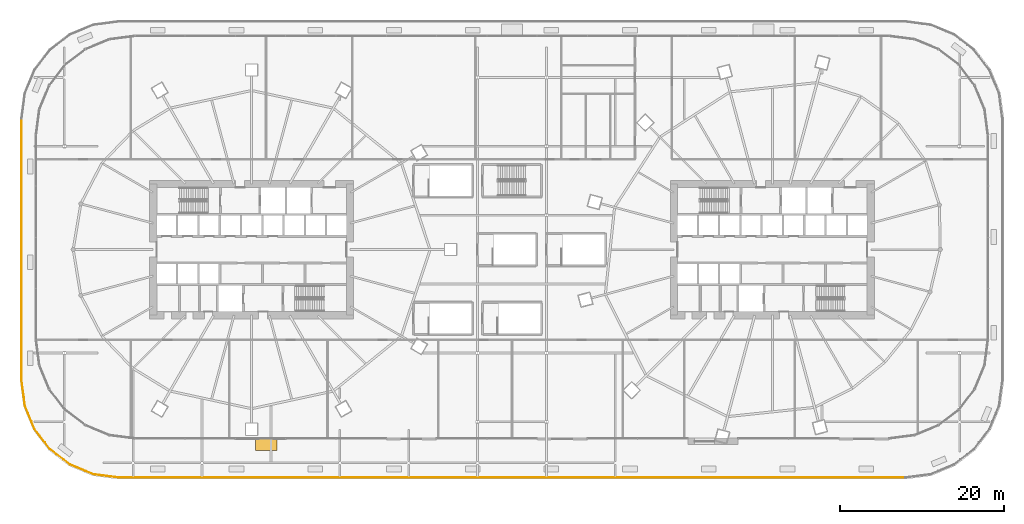
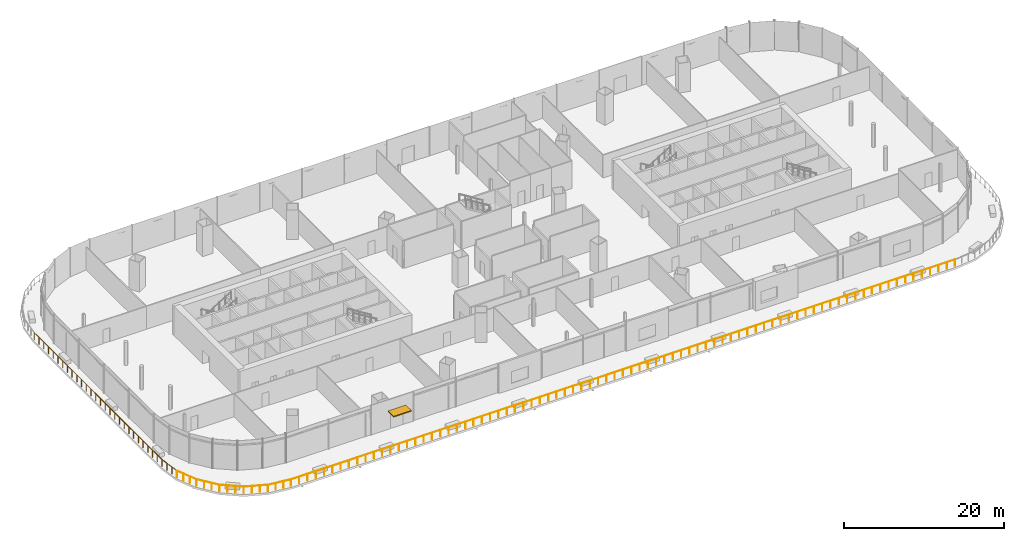
# One storey, part 40 of 49: 3 railings, 1 shading device.
"""IFC4 building model written with IfcOpenShell, lengths in metres."""

import ifcopenshell
import ifcopenshell.guid

model = None  # the IFC model being written
_history = None  # IfcOwnerHistory: only IFC2X3 demands one
_inside = {}  # id of a spatial element -> (the spatial element, [elements in it])
_under = {}  # id of a project, library or spatial element -> (it, [spatial elements below it])
_declared = {}  # id of a project -> (the project, [libraries it declares])
_typed = {}  # id of a type object -> (the type object, [elements of that type])
_made_of = {}  # id of a material, layer set ... -> (it, [elements and type objects made of it])


def new_model(schema):
    """Start an empty IFC model of exactly this schema.

    Asked for "IFC4X3", IfcOpenShell would pick the latest addendum, in which some entities
    have other attributes; the version numbers below select the first issue.
    IFC2X3 requires an IfcOwnerHistory on every rooted entity: one is made here for all.
    """
    global model, _history
    if schema == "IFC4X3":
        model = ifcopenshell.file(schema_version=(4, 3, 0, 0))
    else:
        model = ifcopenshell.file(schema=schema)
    _inside.clear()
    _under.clear()
    _declared.clear()
    _typed.clear()
    _made_of.clear()
    _history = None
    if model.schema == "IFC2X3":
        org = make("IfcOrganization", Name="unknown")
        user = make(
            "IfcPersonAndOrganization",
            ThePerson=make("IfcPerson", FamilyName="unknown"),
            TheOrganization=org,
        )
        app = make(
            "IfcApplication",
            ApplicationDeveloper=org,
            Version="unknown",
            ApplicationFullName="unknown",
            ApplicationIdentifier="unknown",
        )
        _history = make(
            "IfcOwnerHistory",
            OwningUser=user,
            OwningApplication=app,
            ChangeAction="ADDED",
            CreationDate=0,
        )
    return model


def make(cls, **values):
    """One entity of the class cls with the attributes given. An attribute that is None is left unset."""
    return model.create_entity(
        cls, **{name: value for name, value in values.items() if value is not None}
    )


def rooted(cls, **values):
    """An entity with a GlobalId (a new one), such as an element, a storey or a relation."""
    return make(cls, GlobalId=ifcopenshell.guid.new(), OwnerHistory=_history, **values)


def si_unit(unit_type, name, prefix=None):
    """IfcSIUnit, for example si_unit("LENGTHUNIT", "METRE", prefix="MILLI")."""
    return make("IfcSIUnit", UnitType=unit_type, Prefix=prefix, Name=name)


def assignment(units):
    """IfcUnitAssignment: the units of a project."""
    return None if units is None else make("IfcUnitAssignment", Units=units)


def point(xyz):
    """IfcCartesianPoint."""
    return None if xyz is None else make("IfcCartesianPoint", Coordinates=xyz)


def direction(xyz):
    """IfcDirection."""
    return None if xyz is None else make("IfcDirection", DirectionRatios=xyz)


def frame(location, z_axis=None, x_axis=None):
    """IfcAxis2Placement3D, a coordinate frame: its origin and axes. An axis left out is left unset."""
    return make(
        "IfcAxis2Placement3D",
        Location=point(location),
        Axis=direction(z_axis),
        RefDirection=direction(x_axis),
    )


def frame_2d(location, x_axis=None):
    """IfcAxis2Placement2D, a coordinate frame in the plane: its origin and x axis."""
    return make(
        "IfcAxis2Placement2D", Location=point(location), RefDirection=direction(x_axis)
    )


def origin():
    """The frame at (0, 0, 0) with its axes left unset."""
    return frame((0.0, 0.0, 0.0))


def origin_2d():
    """The frame at (0, 0) in the plane with its x axis left unset."""
    return frame_2d((0.0, 0.0))


def place(relative_to, where):
    """IfcLocalPlacement: puts the frame where relative to a parent placement (None: the world)."""
    return make(
        "IfcLocalPlacement", PlacementRelTo=relative_to, RelativePlacement=where
    )


def context(
    kind, dimensions, precision=None, world=None, true_north=None, identifier=None
):
    """IfcGeometricRepresentationContext, for example the 3D "Model" context."""
    return make(
        "IfcGeometricRepresentationContext",
        ContextIdentifier=identifier,
        ContextType=kind,
        CoordinateSpaceDimension=dimensions,
        Precision=precision,
        WorldCoordinateSystem=world,
        TrueNorth=true_north,
    )


def subcontext(parent, identifier, kind, view, scale=None):
    """IfcGeometricRepresentationSubContext, for example "Body" below "Model"."""
    return make(
        "IfcGeometricRepresentationSubContext",
        ContextIdentifier=identifier,
        ContextType=kind,
        ParentContext=parent,
        TargetScale=scale,
        TargetView=view,
    )


def project(units=None, contexts=None):
    """IfcProject with its units and contexts."""
    return rooted(
        "IfcProject",
        Name="project",
        RepresentationContexts=contexts,
        UnitsInContext=assignment(units),
    )


def spatial(cls, under=None, at=None, **own):
    """A site, building, storey or space (cls), placed at a placement, below another one or the project."""
    s = rooted(cls, ObjectPlacement=at, **own)
    if under is not None:
        _under.setdefault(under.id(), (under, []))[1].append(s)
    return s


def profile(cls, at=None, kind="AREA", **sizes):
    """A parametric profile (cls). Its sizes go by their IFC names, for example OverallWidth=200.0."""
    return make(cls, ProfileType=kind, Position=at, **sizes)


def rectangle(**sizes):
    """IfcRectangleProfileDef."""
    return profile("IfcRectangleProfileDef", **sizes)


def circle(**sizes):
    """IfcCircleProfileDef."""
    return profile("IfcCircleProfileDef", **sizes)


def extrude(swept, where, along, depth):
    """IfcExtrudedAreaSolid: the profile swept, set in the frame where, extruded along a direction by depth."""
    return make(
        "IfcExtrudedAreaSolid",
        SweptArea=swept,
        Position=where,
        ExtrudedDirection=direction(along),
        Depth=depth,
    )


def shape(context_of_items, identifier, shape_type, items):
    """IfcShapeRepresentation: the items that make up one representation, for example the "Body"."""
    return make(
        "IfcShapeRepresentation",
        ContextOfItems=context_of_items,
        RepresentationIdentifier=identifier,
        RepresentationType=shape_type,
        Items=items,
    )


def material(Name=None, Category=None):
    """IfcMaterial."""
    return make("IfcMaterial", Name=Name, Category=Category)


def layer(
    of_material, thickness, ventilated=None, Name=None, Category=None, Priority=None
):
    """IfcMaterialLayer: one layer of a wall or slab, of a material (None: an air gap)."""
    return make(
        "IfcMaterialLayer",
        Material=of_material,
        LayerThickness=thickness,
        IsVentilated=ventilated,
        Name=Name,
        Category=Category,
        Priority=Priority,
    )


def layer_set(layers, Name=None):
    """IfcMaterialLayerSet."""
    return make("IfcMaterialLayerSet", MaterialLayers=layers, LayerSetName=Name)


def made_of(thing, what):
    """Note that an element or type object is made of a material, layer set ...; save() writes the relation."""
    if what is not None:
        _made_of.setdefault(what.id(), (what, []))[1].append(thing)
    return thing


def type_object(cls, material=None, **own):
    """A type object (cls), such as IfcWallType, which elements share."""
    return made_of(rooted(cls, **own), material)


def element(
    cls,
    number,
    at=None,
    inside=None,
    cuts=None,
    type_object=None,
    material=None,
    context=None,
    identifier="Body",
    shape_type=None,
    held_by="IfcProductDefinitionShape",
    body=None,
    shapes=None,
    **own,
):
    """One element of the class cls, such as IfcWall. Its Tag is "e" and its number.

    at: its placement. inside: the storey or other place that contains it. cuts: it is an
    opening in that element (IfcRelVoidsElement). A single representation is given by context,
    identifier, shape_type and body (its items); several are given by shapes. held_by: the class
    of the entity that holds the representations. save() writes the other relations.
    """
    e = rooted(cls, Tag="e%d" % number, ObjectPlacement=at, **own)
    if body is not None:
        shapes = [shape(context, identifier, shape_type, body)]
    if shapes is not None:
        e.Representation = make(held_by, Representations=shapes)
    if inside is not None:
        _inside.setdefault(inside.id(), (inside, []))[1].append(e)
    if cuts is not None:
        rooted(
            "IfcRelVoidsElement", RelatingBuildingElement=cuts, RelatedOpeningElement=e
        )
    if type_object is not None:
        _typed.setdefault(type_object.id(), (type_object, []))[1].append(e)
    return made_of(e, material)


def aggregate(whole, parts):
    """IfcRelAggregates: a whole, such as a stair, and the parts it consists of."""
    return rooted("IfcRelAggregates", RelatingObject=whole, RelatedObjects=parts)


def save(model, path):
    """Write the relations noted so far, then the file.

    IfcRelAggregates (storeys below a building ...), IfcRelContainedInSpatialStructure (elements
    in a storey), IfcRelDefinesByType, IfcRelAssociatesMaterial and IfcRelDeclares: one each for
    every whole, place, type object, material and project.
    """
    for whole, parts in _under.values():
        aggregate(whole, parts)
    for where, things in _inside.values():
        rooted(
            "IfcRelContainedInSpatialStructure",
            RelatedElements=things,
            RelatingStructure=where,
        )
    for kind, things in _typed.values():
        rooted("IfcRelDefinesByType", RelatedObjects=things, RelatingType=kind)
    for what, things in _made_of.values():
        rooted("IfcRelAssociatesMaterial", RelatedObjects=things, RelatingMaterial=what)
    for by, libraries in _declared.values():
        rooted("IfcRelDeclares", RelatingContext=by, RelatedDefinitions=libraries)
    model.write(path)


model = new_model("IFC4")

# Units and contexts
model_context = context("Model", 3, precision=1e-05, world=origin(), true_north=direction((0.0, 1.0)))
body_context = subcontext(model_context, "Body", "Model", "MODEL_VIEW")
ifc_project = project(units=[si_unit("LENGTHUNIT", "METRE"), si_unit("AREAUNIT", "SQUARE_METRE"), si_unit("VOLUMEUNIT", "CUBIC_METRE"), si_unit("PLANEANGLEUNIT", "RADIAN"), si_unit("MASSUNIT", "GRAM", prefix="KILO")], contexts=[model_context])

# Site, building, storey
site_placement = place(None, origin())
site = spatial("IfcSite", under=ifc_project, at=site_placement, CompositionType="ELEMENT")
building_placement = place(site_placement, origin())
building = spatial("IfcBuilding", under=site, at=building_placement, Name="Rimbun Link Towers", CompositionType="ELEMENT")
storey_placement = place(building_placement, frame((0.0, 0.0, 25.5)))
storey = spatial("IfcBuildingStorey", under=building, at=storey_placement, Name="L05", CompositionType="ELEMENT", Elevation=25.5)

# Railings
ifc_material_1 = material(Name="Toughened laminated glass, stainless steel grade 316 posts and cap rail", Category="steel")
railing_type = type_object("IfcRailingType", Name="GUARD glass balustrade with stainless cap rail", PredefinedType="BALUSTRADE", material=ifc_material_1)
railing_1_placement = place(storey_placement, frame((-59.800048828125, 15.98681640625, 0.0)))
element("IfcRailing", 1, at=railing_1_placement, inside=storey, type_object=railing_type, Name="GUARD glass balustrade", PredefinedType="BALUSTRADE", context=body_context, shape_type="SweptSolid", body=[
    extrude(circle(Radius=0.02392578125, at=origin_2d()), frame((0.0, 0.0, 1.076171875), z_axis=(0.0, -1.0, 0.0), x_axis=(1.0, 0.0, 0.0)), (0.0, 0.0, 1.0), 31.9736328125),
    extrude(circle(Radius=0.02392578125, at=origin_2d()), frame((0.0, -31.9736328125, 1.076171875), z_axis=(0.130540259305, -0.991443009305, 0.0), x_axis=(0.991443009305, 0.130540259305, 0.0)), (0.0, 0.0, 1.0), 3.09326171875),
    extrude(circle(Radius=0.02099609375, at=origin_2d()), origin(), (0.0, 0.0, 1.0), 1.052001953125),
    extrude(circle(Radius=0.02099609375, at=origin_2d()), frame((0.0, -1.184326171875, 0.0)), (0.0, 0.0, 1.0), 1.052001953125),
    extrude(circle(Radius=0.02099609375, at=origin_2d()), frame((0.0, -2.368408203125, 0.0)), (0.0, 0.0, 1.0), 1.052001953125),
    extrude(circle(Radius=0.02099609375, at=origin_2d()), frame((0.0, -3.552734375, 0.0)), (0.0, 0.0, 1.0), 1.052001953125),
    extrude(circle(Radius=0.02099609375, at=origin_2d()), frame((0.0, -4.73681640625, 0.0)), (0.0, 0.0, 1.0), 1.052001953125),
    extrude(circle(Radius=0.02099609375, at=origin_2d()), frame((0.0, -5.921142578125, 0.0)), (0.0, 0.0, 1.0), 1.052001953125),
    extrude(circle(Radius=0.02099609375, at=origin_2d()), frame((0.0, -7.105224609375, 0.0)), (0.0, 0.0, 1.0), 1.052001953125),
    extrude(circle(Radius=0.02099609375, at=origin_2d()), frame((0.0, -8.28955078125, 0.0)), (0.0, 0.0, 1.0), 1.052001953125),
    extrude(circle(Radius=0.02099609375, at=origin_2d()), frame((0.0, -9.4736328125, 0.0)), (0.0, 0.0, 1.0), 1.052001953125),
    extrude(circle(Radius=0.02099609375, at=origin_2d()), frame((0.0, -10.657958984375, 0.0)), (0.0, 0.0, 1.0), 1.052001953125),
    extrude(circle(Radius=0.02099609375, at=origin_2d()), frame((0.0, -11.842041015625, 0.0)), (0.0, 0.0, 1.0), 1.052001953125),
    extrude(circle(Radius=0.02099609375, at=origin_2d()), frame((0.0, -13.0263671875, 0.0)), (0.0, 0.0, 1.0), 1.052001953125),
    extrude(circle(Radius=0.02099609375, at=origin_2d()), frame((0.0, -14.21044921875, 0.0)), (0.0, 0.0, 1.0), 1.052001953125),
    extrude(circle(Radius=0.02099609375, at=origin_2d()), frame((0.0, -15.394775390625, 0.0)), (0.0, 0.0, 1.0), 1.052001953125),
    extrude(circle(Radius=0.02099609375, at=origin_2d()), frame((0.0, -16.578857421875, 0.0)), (0.0, 0.0, 1.0), 1.052001953125),
    extrude(circle(Radius=0.02099609375, at=origin_2d()), frame((0.0, -17.76318359375, 0.0)), (0.0, 0.0, 1.0), 1.052001953125),
    extrude(circle(Radius=0.02099609375, at=origin_2d()), frame((0.0, -18.947265625, 0.0)), (0.0, 0.0, 1.0), 1.052001953125),
    extrude(circle(Radius=0.02099609375, at=origin_2d()), frame((0.0, -20.131591796875, 0.0)), (0.0, 0.0, 1.0), 1.052001953125),
    extrude(circle(Radius=0.02099609375, at=origin_2d()), frame((0.0, -21.315673828125, 0.0)), (0.0, 0.0, 1.0), 1.052001953125),
    extrude(circle(Radius=0.02099609375, at=origin_2d()), frame((0.0, -22.5, 0.0)), (0.0, 0.0, 1.0), 1.052001953125),
    extrude(circle(Radius=0.02099609375, at=origin_2d()), frame((0.0, -23.68408203125, 0.0)), (0.0, 0.0, 1.0), 1.052001953125),
    extrude(circle(Radius=0.02099609375, at=origin_2d()), frame((0.0, -24.868408203125, 0.0)), (0.0, 0.0, 1.0), 1.052001953125),
    extrude(circle(Radius=0.02099609375, at=origin_2d()), frame((0.0, -26.052490234375, 0.0)), (0.0, 0.0, 1.0), 1.052001953125),
    extrude(circle(Radius=0.02099609375, at=origin_2d()), frame((0.0, -27.23681640625, 0.0)), (0.0, 0.0, 1.0), 1.052001953125),
    extrude(circle(Radius=0.02099609375, at=origin_2d()), frame((0.0, -28.4208984375, 0.0)), (0.0, 0.0, 1.0), 1.052001953125),
    extrude(circle(Radius=0.02099609375, at=origin_2d()), frame((0.0, -29.605224609375, 0.0)), (0.0, 0.0, 1.0), 1.052001953125),
    extrude(circle(Radius=0.02099609375, at=origin_2d()), frame((0.0, -30.789306640625, 0.0)), (0.0, 0.0, 1.0), 1.052001953125),
    extrude(circle(Radius=0.02099609375, at=origin_2d()), frame((0.0, -31.9736328125, 0.0)), (0.0, 0.0, 1.0), 1.052001953125),
    extrude(circle(Radius=0.02099609375, at=origin_2d()), frame((0.134521484375, -32.995849609375, 0.0)), (0.0, 0.0, 1.0), 1.052001953125),
    extrude(circle(Radius=0.02099609375, at=origin_2d()), frame((0.269287109375, -34.018310546875, 0.0)), (0.0, 0.0, 1.0), 1.052001953125),
    extrude(circle(Radius=0.02099609375, at=origin_2d()), frame((0.40380859375, -35.04052734375, 0.0)), (0.0, 0.0, 1.0), 1.052001953125),
])
railing_2_placement = place(storey_placement, frame((-59.396240234375, -19.0537109375, 0.0)))
element("IfcRailing", 2, at=railing_2_placement, inside=storey, type_object=railing_type, Name="GUARD glass balustrade", PredefinedType="BALUSTRADE", context=body_context, shape_type="SweptSolid", body=[
    extrude(circle(Radius=0.02392578125, at=origin_2d()), frame((0.0, 0.0, 1.076171875), z_axis=(0.382706499462, -0.92386997747, 0.0), x_axis=(0.92386997747, 0.382706499462, 0.0)), (0.0, 0.0, 1.0), 3.079833984375),
    extrude(circle(Radius=0.02392578125, at=origin_2d()), frame((1.1787109375, -2.845458984375, 1.076171875), z_axis=(0.608702762794, -0.793398353015, 0.0), x_axis=(0.793398353015, 0.608702762794, 0.0)), (0.0, 0.0, 1.0), 3.079833984375),
    extrude(circle(Radius=0.02392578125, at=origin_2d()), frame((3.053466796875, -5.2890625, 1.076171875), z_axis=(0.793398353015, -0.608702762794, 0.0), x_axis=(0.608702762794, 0.793398353015, 0.0)), (0.0, 0.0, 1.0), 3.079833984375),
    extrude(circle(Radius=0.02392578125, at=origin_2d()), frame((5.4970703125, -7.163818359375, 1.076171875), z_axis=(0.92386997747, -0.382706499462, 0.0), x_axis=(0.382706499462, 0.92386997747, 0.0)), (0.0, 0.0, 1.0), 3.079833984375),
    extrude(circle(Radius=0.02392578125, at=origin_2d()), frame((8.342529296875, -8.342529296875, 1.076171875), z_axis=(0.991443009305, -0.130540259305, 0.0), x_axis=(0.130540259305, 0.991443009305, 0.0)), (0.0, 0.0, 1.0), 3.09326171875),
    extrude(circle(Radius=0.02099609375, at=origin_2d()), origin(), (0.0, 0.0, 1.0), 1.052001953125),
    extrude(circle(Radius=0.02099609375, at=origin_2d()), frame((0.392822265625, -0.948486328125, 0.0)), (0.0, 0.0, 1.0), 1.052001953125),
    extrude(circle(Radius=0.02099609375, at=origin_2d()), frame((0.785888671875, -1.89697265625, 0.0)), (0.0, 0.0, 1.0), 1.052001953125),
    extrude(circle(Radius=0.02099609375, at=origin_2d()), frame((1.1787109375, -2.845458984375, 0.0)), (0.0, 0.0, 1.0), 1.052001953125),
    extrude(circle(Radius=0.02099609375, at=origin_2d()), frame((1.8037109375, -3.659912109375, 0.0)), (0.0, 0.0, 1.0), 1.052001953125),
    extrude(circle(Radius=0.02099609375, at=origin_2d()), frame((2.428466796875, -4.474609375, 0.0)), (0.0, 0.0, 1.0), 1.052001953125),
    extrude(circle(Radius=0.02099609375, at=origin_2d()), frame((3.053466796875, -5.2890625, 0.0)), (0.0, 0.0, 1.0), 1.052001953125),
    extrude(circle(Radius=0.02099609375, at=origin_2d()), frame((3.867919921875, -5.9140625, 0.0)), (0.0, 0.0, 1.0), 1.052001953125),
    extrude(circle(Radius=0.02099609375, at=origin_2d()), frame((4.6826171875, -6.538818359375, 0.0)), (0.0, 0.0, 1.0), 1.052001953125),
    extrude(circle(Radius=0.02099609375, at=origin_2d()), frame((5.4970703125, -7.163818359375, 0.0)), (0.0, 0.0, 1.0), 1.052001953125),
    extrude(circle(Radius=0.02099609375, at=origin_2d()), frame((6.445556640625, -7.556640625, 0.0)), (0.0, 0.0, 1.0), 1.052001953125),
    extrude(circle(Radius=0.02099609375, at=origin_2d()), frame((7.39404296875, -7.94970703125, 0.0)), (0.0, 0.0, 1.0), 1.052001953125),
    extrude(circle(Radius=0.02099609375, at=origin_2d()), frame((8.342529296875, -8.342529296875, 0.0)), (0.0, 0.0, 1.0), 1.052001953125),
    extrude(circle(Radius=0.02099609375, at=origin_2d()), frame((9.36474609375, -8.47705078125, 0.0)), (0.0, 0.0, 1.0), 1.052001953125),
    extrude(circle(Radius=0.02099609375, at=origin_2d()), frame((10.38720703125, -8.61181640625, 0.0)), (0.0, 0.0, 1.0), 1.052001953125),
    extrude(circle(Radius=0.02099609375, at=origin_2d()), frame((11.409423828125, -8.746337890625, 0.0)), (0.0, 0.0, 1.0), 1.052001953125),
])
railing_3_placement = place(storey_placement, frame((-47.98681640625, -27.800048828125, 0.0)))
element("IfcRailing", 3, at=railing_3_placement, inside=storey, type_object=railing_type, Name="GUARD glass balustrade", PredefinedType="BALUSTRADE", context=body_context, shape_type="SweptSolid", body=[
    extrude(circle(Radius=0.02392578125, at=origin_2d()), frame((0.0, 0.0, 1.076171875), z_axis=(1.0, 0.0, 0.0), x_axis=(0.0, 1.0, 0.0)), (0.0, 0.0, 1.0), 95.9736328125),
    extrude(circle(Radius=0.02099609375, at=origin_2d()), origin(), (0.0, 0.0, 1.0), 1.052001953125),
    extrude(circle(Radius=0.02099609375, at=origin_2d()), frame((1.19970703125, 0.0, 0.0)), (0.0, 0.0, 1.0), 1.052001953125),
    extrude(circle(Radius=0.02099609375, at=origin_2d()), frame((2.3994140625, 0.0, 0.0)), (0.0, 0.0, 1.0), 1.052001953125),
    extrude(circle(Radius=0.02099609375, at=origin_2d()), frame((3.59912109375, 0.0, 0.0)), (0.0, 0.0, 1.0), 1.052001953125),
    extrude(circle(Radius=0.02099609375, at=origin_2d()), frame((4.798583984375, 0.0, 0.0)), (0.0, 0.0, 1.0), 1.052001953125),
    extrude(circle(Radius=0.02099609375, at=origin_2d()), frame((5.998291015625, 0.0, 0.0)), (0.0, 0.0, 1.0), 1.052001953125),
    extrude(circle(Radius=0.02099609375, at=origin_2d()), frame((7.197998046875, 0.0, 0.0)), (0.0, 0.0, 1.0), 1.052001953125),
    extrude(circle(Radius=0.02099609375, at=origin_2d()), frame((8.397705078125, 0.0, 0.0)), (0.0, 0.0, 1.0), 1.052001953125),
    extrude(circle(Radius=0.02099609375, at=origin_2d()), frame((9.597412109375, 0.0, 0.0)), (0.0, 0.0, 1.0), 1.052001953125),
    extrude(circle(Radius=0.02099609375, at=origin_2d()), frame((10.797119140625, 0.0, 0.0)), (0.0, 0.0, 1.0), 1.052001953125),
    extrude(circle(Radius=0.02099609375, at=origin_2d()), frame((11.99658203125, 0.0, 0.0)), (0.0, 0.0, 1.0), 1.052001953125),
    extrude(circle(Radius=0.02099609375, at=origin_2d()), frame((13.1962890625, 0.0, 0.0)), (0.0, 0.0, 1.0), 1.052001953125),
    extrude(circle(Radius=0.02099609375, at=origin_2d()), frame((14.39599609375, 0.0, 0.0)), (0.0, 0.0, 1.0), 1.052001953125),
    extrude(circle(Radius=0.02099609375, at=origin_2d()), frame((15.595703125, 0.0, 0.0)), (0.0, 0.0, 1.0), 1.052001953125),
    extrude(circle(Radius=0.02099609375, at=origin_2d()), frame((16.79541015625, 0.0, 0.0)), (0.0, 0.0, 1.0), 1.052001953125),
    extrude(circle(Radius=0.02099609375, at=origin_2d()), frame((17.9951171875, 0.0, 0.0)), (0.0, 0.0, 1.0), 1.052001953125),
    extrude(circle(Radius=0.02099609375, at=origin_2d()), frame((19.19482421875, 0.0, 0.0)), (0.0, 0.0, 1.0), 1.052001953125),
    extrude(circle(Radius=0.02099609375, at=origin_2d()), frame((20.394287109375, 0.0, 0.0)), (0.0, 0.0, 1.0), 1.052001953125),
    extrude(circle(Radius=0.02099609375, at=origin_2d()), frame((21.593994140625, 0.0, 0.0)), (0.0, 0.0, 1.0), 1.052001953125),
    extrude(circle(Radius=0.02099609375, at=origin_2d()), frame((22.793701171875, 0.0, 0.0)), (0.0, 0.0, 1.0), 1.052001953125),
    extrude(circle(Radius=0.02099609375, at=origin_2d()), frame((23.993408203125, 0.0, 0.0)), (0.0, 0.0, 1.0), 1.052001953125),
    extrude(circle(Radius=0.02099609375, at=origin_2d()), frame((25.193115234375, 0.0, 0.0)), (0.0, 0.0, 1.0), 1.052001953125),
    extrude(circle(Radius=0.02099609375, at=origin_2d()), frame((26.392822265625, 0.0, 0.0)), (0.0, 0.0, 1.0), 1.052001953125),
    extrude(circle(Radius=0.02099609375, at=origin_2d()), frame((27.592529296875, 0.0, 0.0)), (0.0, 0.0, 1.0), 1.052001953125),
    extrude(circle(Radius=0.02099609375, at=origin_2d()), frame((28.7919921875, 0.0, 0.0)), (0.0, 0.0, 1.0), 1.052001953125),
    extrude(circle(Radius=0.02099609375, at=origin_2d()), frame((29.99169921875, 0.0, 0.0)), (0.0, 0.0, 1.0), 1.052001953125),
    extrude(circle(Radius=0.02099609375, at=origin_2d()), frame((31.19140625, 0.0, 0.0)), (0.0, 0.0, 1.0), 1.052001953125),
    extrude(circle(Radius=0.02099609375, at=origin_2d()), frame((32.39111328125, 0.0, 0.0)), (0.0, 0.0, 1.0), 1.052001953125),
    extrude(circle(Radius=0.02099609375, at=origin_2d()), frame((33.5908203125, 0.0, 0.0)), (0.0, 0.0, 1.0), 1.052001953125),
    extrude(circle(Radius=0.02099609375, at=origin_2d()), frame((34.79052734375, 0.0, 0.0)), (0.0, 0.0, 1.0), 1.052001953125),
    extrude(circle(Radius=0.02099609375, at=origin_2d()), frame((35.990234375, 0.0, 0.0)), (0.0, 0.0, 1.0), 1.052001953125),
    extrude(circle(Radius=0.02099609375, at=origin_2d()), frame((37.189697265625, 0.0, 0.0)), (0.0, 0.0, 1.0), 1.052001953125),
    extrude(circle(Radius=0.02099609375, at=origin_2d()), frame((38.389404296875, 0.0, 0.0)), (0.0, 0.0, 1.0), 1.052001953125),
    extrude(circle(Radius=0.02099609375, at=origin_2d()), frame((39.589111328125, 0.0, 0.0)), (0.0, 0.0, 1.0), 1.052001953125),
    extrude(circle(Radius=0.02099609375, at=origin_2d()), frame((40.788818359375, 0.0, 0.0)), (0.0, 0.0, 1.0), 1.052001953125),
    extrude(circle(Radius=0.02099609375, at=origin_2d()), frame((41.988525390625, 0.0, 0.0)), (0.0, 0.0, 1.0), 1.052001953125),
    extrude(circle(Radius=0.02099609375, at=origin_2d()), frame((43.188232421875, 0.0, 0.0)), (0.0, 0.0, 1.0), 1.052001953125),
    extrude(circle(Radius=0.02099609375, at=origin_2d()), frame((44.3876953125, 0.0, 0.0)), (0.0, 0.0, 1.0), 1.052001953125),
    extrude(circle(Radius=0.02099609375, at=origin_2d()), frame((45.58740234375, 0.0, 0.0)), (0.0, 0.0, 1.0), 1.052001953125),
    extrude(circle(Radius=0.02099609375, at=origin_2d()), frame((46.787109375, 0.0, 0.0)), (0.0, 0.0, 1.0), 1.052001953125),
    extrude(circle(Radius=0.02099609375, at=origin_2d()), frame((47.98681640625, 0.0, 0.0)), (0.0, 0.0, 1.0), 1.052001953125),
    extrude(circle(Radius=0.02099609375, at=origin_2d()), frame((49.1865234375, 0.0, 0.0)), (0.0, 0.0, 1.0), 1.052001953125),
    extrude(circle(Radius=0.02099609375, at=origin_2d()), frame((50.38623046875, 0.0, 0.0)), (0.0, 0.0, 1.0), 1.052001953125),
    extrude(circle(Radius=0.02099609375, at=origin_2d()), frame((51.5859375, 0.0, 0.0)), (0.0, 0.0, 1.0), 1.052001953125),
    extrude(circle(Radius=0.02099609375, at=origin_2d()), frame((52.785400390625, 0.0, 0.0)), (0.0, 0.0, 1.0), 1.052001953125),
    extrude(circle(Radius=0.02099609375, at=origin_2d()), frame((53.985107421875, 0.0, 0.0)), (0.0, 0.0, 1.0), 1.052001953125),
    extrude(circle(Radius=0.02099609375, at=origin_2d()), frame((55.184814453125, 0.0, 0.0)), (0.0, 0.0, 1.0), 1.052001953125),
    extrude(circle(Radius=0.02099609375, at=origin_2d()), frame((56.384521484375, 0.0, 0.0)), (0.0, 0.0, 1.0), 1.052001953125),
    extrude(circle(Radius=0.02099609375, at=origin_2d()), frame((57.584228515625, 0.0, 0.0)), (0.0, 0.0, 1.0), 1.052001953125),
    extrude(circle(Radius=0.02099609375, at=origin_2d()), frame((58.783935546875, 0.0, 0.0)), (0.0, 0.0, 1.0), 1.052001953125),
    extrude(circle(Radius=0.02099609375, at=origin_2d()), frame((59.9833984375, 0.0, 0.0)), (0.0, 0.0, 1.0), 1.052001953125),
    extrude(circle(Radius=0.02099609375, at=origin_2d()), frame((61.18310546875, 0.0, 0.0)), (0.0, 0.0, 1.0), 1.052001953125),
    extrude(circle(Radius=0.02099609375, at=origin_2d()), frame((62.3828125, 0.0, 0.0)), (0.0, 0.0, 1.0), 1.052001953125),
    extrude(circle(Radius=0.02099609375, at=origin_2d()), frame((63.58251953125, 0.0, 0.0)), (0.0, 0.0, 1.0), 1.052001953125),
    extrude(circle(Radius=0.02099609375, at=origin_2d()), frame((64.7822265625, 0.0, 0.0)), (0.0, 0.0, 1.0), 1.052001953125),
    extrude(circle(Radius=0.02099609375, at=origin_2d()), frame((65.98193359375, 0.0, 0.0)), (0.0, 0.0, 1.0), 1.052001953125),
    extrude(circle(Radius=0.02099609375, at=origin_2d()), frame((67.181640625, 0.0, 0.0)), (0.0, 0.0, 1.0), 1.052001953125),
    extrude(circle(Radius=0.02099609375, at=origin_2d()), frame((68.381103515625, 0.0, 0.0)), (0.0, 0.0, 1.0), 1.052001953125),
    extrude(circle(Radius=0.02099609375, at=origin_2d()), frame((69.580810546875, 0.0, 0.0)), (0.0, 0.0, 1.0), 1.052001953125),
    extrude(circle(Radius=0.02099609375, at=origin_2d()), frame((70.780517578125, 0.0, 0.0)), (0.0, 0.0, 1.0), 1.052001953125),
    extrude(circle(Radius=0.02099609375, at=origin_2d()), frame((71.980224609375, 0.0, 0.0)), (0.0, 0.0, 1.0), 1.052001953125),
    extrude(circle(Radius=0.02099609375, at=origin_2d()), frame((73.179931640625, 0.0, 0.0)), (0.0, 0.0, 1.0), 1.052001953125),
    extrude(circle(Radius=0.02099609375, at=origin_2d()), frame((74.379638671875, 0.0, 0.0)), (0.0, 0.0, 1.0), 1.052001953125),
    extrude(circle(Radius=0.02099609375, at=origin_2d()), frame((75.579345703125, 0.0, 0.0)), (0.0, 0.0, 1.0), 1.052001953125),
    extrude(circle(Radius=0.02099609375, at=origin_2d()), frame((76.77880859375, 0.0, 0.0)), (0.0, 0.0, 1.0), 1.052001953125),
    extrude(circle(Radius=0.02099609375, at=origin_2d()), frame((77.978515625, 0.0, 0.0)), (0.0, 0.0, 1.0), 1.052001953125),
    extrude(circle(Radius=0.02099609375, at=origin_2d()), frame((79.17822265625, 0.0, 0.0)), (0.0, 0.0, 1.0), 1.052001953125),
    extrude(circle(Radius=0.02099609375, at=origin_2d()), frame((80.3779296875, 0.0, 0.0)), (0.0, 0.0, 1.0), 1.052001953125),
    extrude(circle(Radius=0.02099609375, at=origin_2d()), frame((81.57763671875, 0.0, 0.0)), (0.0, 0.0, 1.0), 1.052001953125),
    extrude(circle(Radius=0.02099609375, at=origin_2d()), frame((82.77734375, 0.0, 0.0)), (0.0, 0.0, 1.0), 1.052001953125),
    extrude(circle(Radius=0.02099609375, at=origin_2d()), frame((83.97705078125, 0.0, 0.0)), (0.0, 0.0, 1.0), 1.052001953125),
    extrude(circle(Radius=0.02099609375, at=origin_2d()), frame((85.176513671875, 0.0, 0.0)), (0.0, 0.0, 1.0), 1.052001953125),
    extrude(circle(Radius=0.02099609375, at=origin_2d()), frame((86.376220703125, 0.0, 0.0)), (0.0, 0.0, 1.0), 1.052001953125),
    extrude(circle(Radius=0.02099609375, at=origin_2d()), frame((87.575927734375, 0.0, 0.0)), (0.0, 0.0, 1.0), 1.052001953125),
    extrude(circle(Radius=0.02099609375, at=origin_2d()), frame((88.775634765625, 0.0, 0.0)), (0.0, 0.0, 1.0), 1.052001953125),
    extrude(circle(Radius=0.02099609375, at=origin_2d()), frame((89.975341796875, 0.0, 0.0)), (0.0, 0.0, 1.0), 1.052001953125),
    extrude(circle(Radius=0.02099609375, at=origin_2d()), frame((91.175048828125, 0.0, 0.0)), (0.0, 0.0, 1.0), 1.052001953125),
    extrude(circle(Radius=0.02099609375, at=origin_2d()), frame((92.37451171875, 0.0, 0.0)), (0.0, 0.0, 1.0), 1.052001953125),
    extrude(circle(Radius=0.02099609375, at=origin_2d()), frame((93.57421875, 0.0, 0.0)), (0.0, 0.0, 1.0), 1.052001953125),
    extrude(circle(Radius=0.02099609375, at=origin_2d()), frame((94.77392578125, 0.0, 0.0)), (0.0, 0.0, 1.0), 1.052001953125),
    extrude(circle(Radius=0.02099609375, at=origin_2d()), frame((95.9736328125, 0.0, 0.0)), (0.0, 0.0, 1.0), 1.052001953125),
])

# Shading device
ifc_material_2 = material(Name="Aluminium 6063-T6 louvre blades in a powder-coated aluminium frame", Category="aluminium")
ifc_layer = layer(ifc_material_2, 0.139892578125)
ifc_layer_set = layer_set([ifc_layer], Name="RAIN CANOPY louvre blades 2600X1400")
shading_device_type = type_object("IfcShadingDeviceType", Name="RAIN CANOPY louvre blades 2600X1400", PredefinedType="AWNING", material=ifc_layer_set)
shading_device_placement = place(storey_placement, frame((-29.966796875, -23.800048828125, 2.7001953125), z_axis=(0.0, 0.0, 1.0), x_axis=(-1.0, 0.0, 0.0)))
element("IfcShadingDevice", 4, at=shading_device_placement, inside=storey, type_object=shading_device_type, Name="RAIN CANOPY over terrace door", PredefinedType="AWNING", context=body_context, shape_type="SweptSolid", body=[
    extrude(rectangle(XDim=2.60009765625, YDim=1.39990234375, at=origin_2d()), origin(), (0.0, 0.0, 1.0), 0.139892578125),
])

save(model, "model.ifc")
